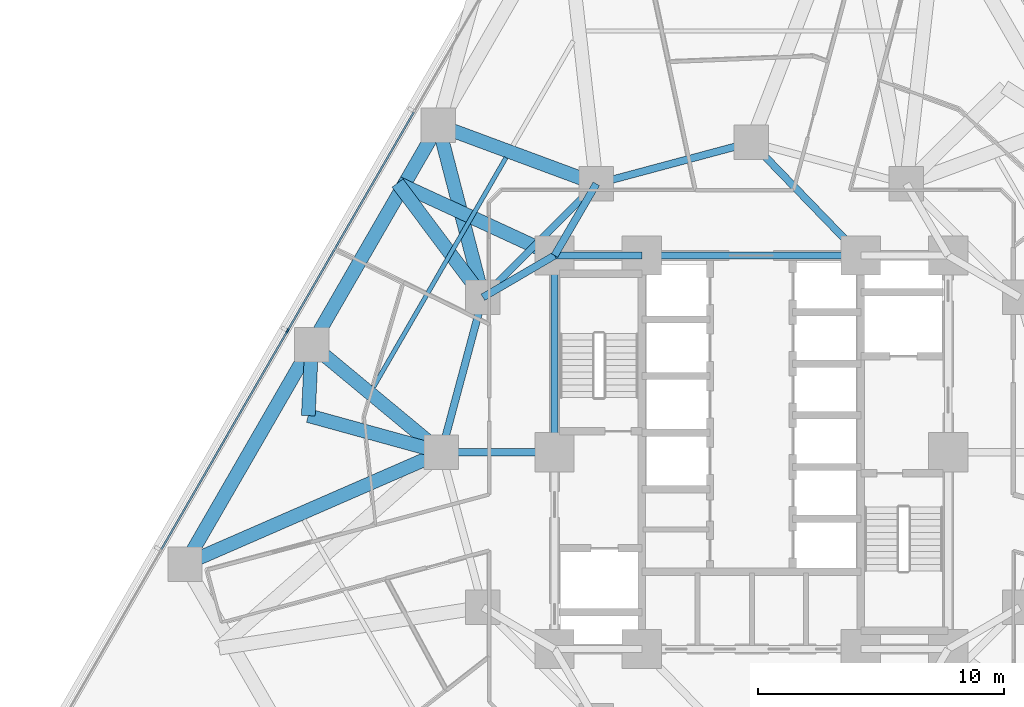
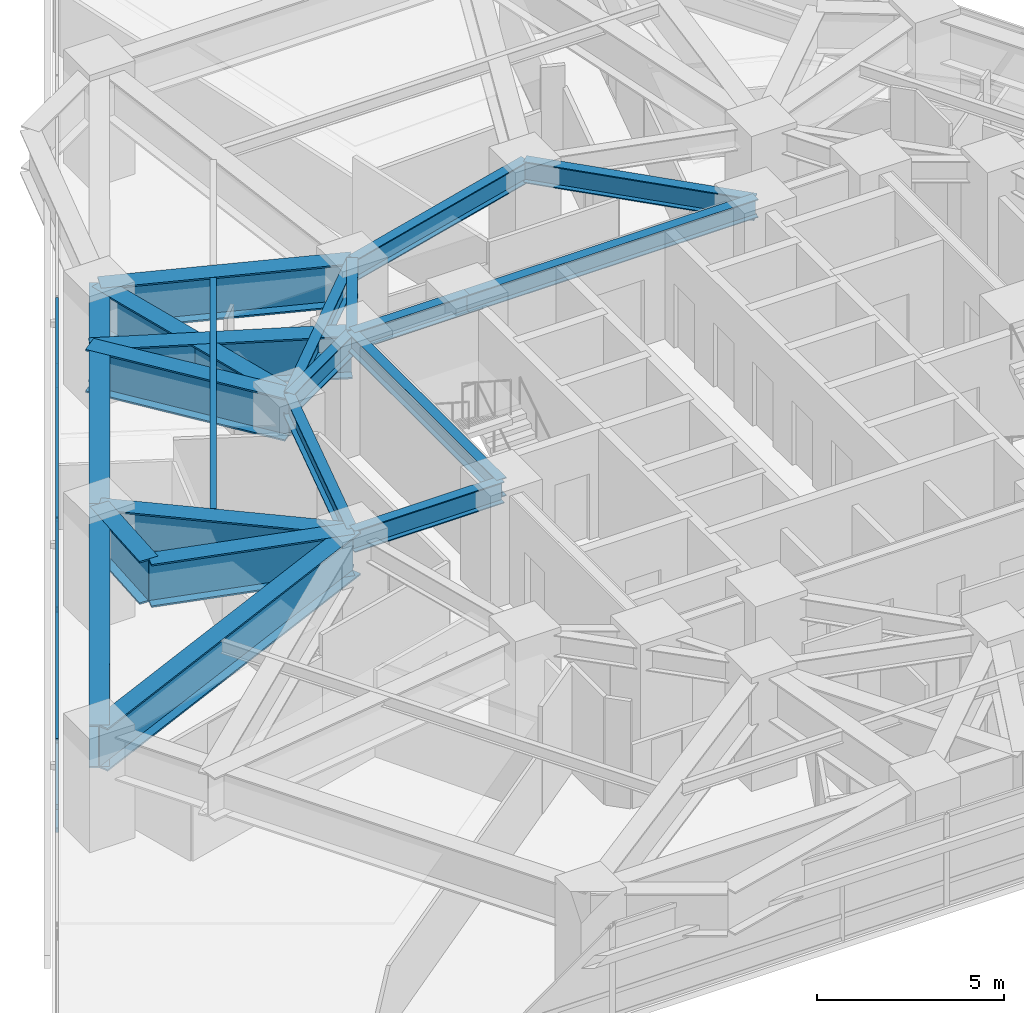
# One storey, part 3 of 15: 21 beams, 7 members, 1 element without a shape of its own.
"""IFC4 building model written with IfcOpenShell, lengths in metres."""

from ifc_helpers import new_model, si_unit, direction, frame, origin, origin_2d, place, context, subcontext, project, spatial, rectangle, i_section, extrude, material, layer, layer_set, material_profile, profile_set, type_object, element, aggregate, save


model = new_model("IFC4")

# Units and contexts
model_context = context("Model", 3, precision=1e-05, world=origin(), true_north=direction((0.0, 1.0)))
body_context = subcontext(model_context, "Body", "Model", "MODEL_VIEW")
ifc_project = project(units=[si_unit("LENGTHUNIT", "METRE"), si_unit("AREAUNIT", "SQUARE_METRE"), si_unit("VOLUMEUNIT", "CUBIC_METRE"), si_unit("PLANEANGLEUNIT", "RADIAN"), si_unit("MASSUNIT", "GRAM", prefix="KILO")], contexts=[model_context])

# Site, building, storey
site_placement = place(None, origin())
site = spatial("IfcSite", under=ifc_project, at=site_placement, CompositionType="ELEMENT")
building_placement = place(site_placement, origin())
building = spatial("IfcBuilding", under=site, at=building_placement, Name="Terralouvre Media Tower", CompositionType="ELEMENT")
storey_placement = place(building_placement, frame((0.0, 0.0, 51.89990234375)))
storey = spatial("IfcBuildingStorey", under=building, at=storey_placement, Name="L12", CompositionType="ELEMENT", Elevation=51.89990234375)

# Beam
ifc_material_1 = material(Name="Structural steel S355J2", Category="steel")
ifc_material_profile_1 = material_profile(ifc_material_1, i_section(OverallWidth=0.179931640625, OverallDepth=0.39990234375, WebThickness=0.008544921875, FlangeThickness=0.013427734375, at=origin_2d()), Name="IPE 400")
ifc_profile_set_1 = profile_set([ifc_material_profile_1], Name="Structural steel S355J2")
beam_type_1 = type_object("IfcBeamType", Name="Composite Floor Joist J-IPE400 (IPE 400)", PredefinedType="JOIST", material=ifc_profile_set_1)
beam_1_placement = place(storey_placement, frame((-9.974609375, 11.9775390625, 3.300048828125), z_axis=(-0.500003030497, -0.866023654119, 0.0), x_axis=(0.866023654119, -0.500003030497, 0.0)))
element("IfcBeam", 1, at=beam_1_placement, inside=storey, type_object=beam_type_1, Name="L12 Framing Beam JT-L12-11", PredefinedType="JOIST", context=body_context, shape_type="SweptSolid", body=[
    extrude(i_section(OverallWidth=0.179931640625, OverallDepth=0.39990234375, WebThickness=0.008544921875, FlangeThickness=0.013427734375, at=origin_2d()), origin(), (0.0, 0.0, 1.0), 10.77099609375),
])

# Curtain wall, members
ifc_material_2 = material(Name="Low-iron laminated double glazing with solar-control coating", Category="glass")
ifc_layer = layer(ifc_material_2, 0.1650390625, Name="Lower Media Tower Unitised Curtain Wall CW-02")
ifc_layer_set = layer_set([ifc_layer], Name="Low-iron laminated double glazing with solar-control coating")
curtain_wall_type = type_object("IfcCurtainWallType", Name="Lower Media Tower Unitised Curtain Wall CW-02", PredefinedType="NOTDEFINED", material=ifc_layer_set)
curtain_wall_placement = place(storey_placement, origin())
curtain_wall = element("IfcCurtainWall", 2, at=curtain_wall_placement, inside=storey, type_object=curtain_wall_type, Name="L12 Facade Curtain Wall F2", PredefinedType="NOTDEFINED")
ifc_material_3 = material(Name="Anodised extruded aluminium 6063-T6", Category="aluminium")
ifc_material_profile_2 = material_profile(ifc_material_3, rectangle(XDim=0.074951171875, YDim=0.14990234375, at=origin_2d()), Name="ALU 75x150")
ifc_profile_set_2 = profile_set([ifc_material_profile_2], Name="Anodised extruded aluminium 6063-T6")
member_type_1 = type_object("IfcMemberType", Name="Curtain-Wall Horizontal Transom TR-150", PredefinedType="USERDEFINED", material=ifc_profile_set_2)
member_1_placement = place(storey_placement, frame((-13.72216796875, 13.825927734375, 0.03759765625), z_axis=(-0.50000905659, -0.866020174897, 0.0), x_axis=(0.866020174897, -0.50000905659, 0.0)))
member_1 = element("IfcMember", 3, at=member_1_placement, type_object=member_type_1, Name="CW-02 transom 3.1", ObjectType="TRANSOM", PredefinedType="USERDEFINED", context=body_context, shape_type="SweptSolid", body=[
    extrude(rectangle(XDim=0.074951171875, YDim=0.14990234375, at=origin_2d()), origin(), (0.0, 0.0, 1.0), 10.224853515625),
])
member_2_placement = place(storey_placement, frame((-13.72216796875, 13.825927734375, 0.800048828125), z_axis=(-0.50000905659, -0.866020174897, 0.0), x_axis=(0.866020174897, -0.50000905659, 0.0)))
member_2 = element("IfcMember", 4, at=member_2_placement, type_object=member_type_1, Name="CW-02 transom 3.2", ObjectType="TRANSOM", PredefinedType="USERDEFINED", context=body_context, shape_type="SweptSolid", body=[
    extrude(rectangle(XDim=0.074951171875, YDim=0.14990234375, at=origin_2d()), origin(), (0.0, 0.0, 1.0), 10.224853515625),
])
member_3_placement = place(storey_placement, frame((-13.72216796875, 13.825927734375, 2.962646484375), z_axis=(-0.50000905659, -0.866020174897, 0.0), x_axis=(0.866020174897, -0.50000905659, 0.0)))
member_3 = element("IfcMember", 5, at=member_3_placement, type_object=member_type_1, Name="CW-02 transom 3.3", ObjectType="TRANSOM", PredefinedType="USERDEFINED", context=body_context, shape_type="SweptSolid", body=[
    extrude(rectangle(XDim=0.074951171875, YDim=0.14990234375, at=origin_2d()), origin(), (0.0, 0.0, 1.0), 10.224853515625),
])
member_4_placement = place(storey_placement, frame((-18.872314453125, 4.90576171875, 0.03759765625), z_axis=(-0.499991148707, -0.866030514021, 0.0), x_axis=(0.866030514021, -0.499991148707, 0.0)))
member_4 = element("IfcMember", 6, at=member_4_placement, type_object=member_type_1, Name="CW-02 transom 4.1", ObjectType="TRANSOM", PredefinedType="USERDEFINED", context=body_context, shape_type="SweptSolid", body=[
    extrude(rectangle(XDim=0.074951171875, YDim=0.14990234375, at=origin_2d()), origin(), (0.0, 0.0, 1.0), 10.224853515625),
])
member_5_placement = place(storey_placement, frame((-18.872314453125, 4.90576171875, 0.800048828125), z_axis=(-0.499991148707, -0.866030514021, 0.0), x_axis=(0.866030514021, -0.499991148707, 0.0)))
member_5 = element("IfcMember", 7, at=member_5_placement, type_object=member_type_1, Name="CW-02 transom 4.2", ObjectType="TRANSOM", PredefinedType="USERDEFINED", context=body_context, shape_type="SweptSolid", body=[
    extrude(rectangle(XDim=0.074951171875, YDim=0.14990234375, at=origin_2d()), origin(), (0.0, 0.0, 1.0), 10.224853515625),
])
member_6_placement = place(storey_placement, frame((-18.872314453125, 4.90576171875, 2.962646484375), z_axis=(-0.499991148707, -0.866030514021, 0.0), x_axis=(0.866030514021, -0.499991148707, 0.0)))
member_6 = element("IfcMember", 8, at=member_6_placement, type_object=member_type_1, Name="CW-02 transom 4.3", ObjectType="TRANSOM", PredefinedType="USERDEFINED", context=body_context, shape_type="SweptSolid", body=[
    extrude(rectangle(XDim=0.074951171875, YDim=0.14990234375, at=origin_2d()), origin(), (0.0, 0.0, 1.0), 10.224853515625),
])
ifc_material_4 = material(Name="Anodised extruded aluminium 6063-T6", Category="aluminium")
ifc_material_profile_3 = material_profile(ifc_material_4, rectangle(XDim=0.074951171875, YDim=0.179931640625, at=origin_2d()), Name="ALU 75x180")
ifc_profile_set_3 = profile_set([ifc_material_profile_3], Name="Anodised extruded aluminium 6063-T6")
member_type_2 = type_object("IfcMemberType", Name="Curtain-Wall Vertical Mullion ML-180", PredefinedType="MULLION", material=ifc_profile_set_3)
member_7_placement = place(storey_placement, frame((-18.853515625, 4.938232421875, 0.0), z_axis=(0.0, 0.0, 1.0), x_axis=(0.866025412057, -0.499999985671, 0.0)))
member_7 = element("IfcMember", 9, at=member_7_placement, type_object=member_type_2, Name="CW-02 mullion 4", PredefinedType="MULLION", context=body_context, shape_type="SweptSolid", body=[
    extrude(rectangle(XDim=0.074951171875, YDim=0.179931640625, at=origin_2d()), origin(), (0.0, 0.0, 1.0), 3.0),
])
aggregate(curtain_wall, [member_7, member_1, member_2, member_3, member_4, member_5, member_6])

# Beams
ifc_material_5 = material(Name="Structural steel S460M", Category="steel")
ifc_material_profile_4 = material_profile(ifc_material_5, i_section(OverallWidth=0.300048828125, OverallDepth=0.60009765625, WebThickness=0.015380859375, FlangeThickness=0.030029296875, at=origin_2d()), Name="HEB 600")
ifc_profile_set_4 = profile_set([ifc_material_profile_4], Name="Structural steel S460M")
beam_type_2 = type_object("IfcBeamType", Name="Primary Floor Girder B-HEB600 (HEB 600)", PredefinedType="BEAM", material=ifc_profile_set_4)
beam_2_placement = place(storey_placement, frame((4.449951171875, 8.0, 3.2001953125), z_axis=(-1.0, 0.0, 0.0), x_axis=(0.0, -1.0, 0.0)))
element("IfcBeam", 10, at=beam_2_placement, inside=storey, type_object=beam_type_2, Name="L12 Framing Beam BM-L12-CPR07", PredefinedType="BEAM", context=body_context, shape_type="SweptSolid", body=[
    extrude(i_section(OverallWidth=0.300048828125, OverallDepth=0.60009765625, WebThickness=0.015380859375, FlangeThickness=0.030029296875, at=origin_2d()), origin(), (0.0, 0.0, 1.0), 8.89990234375),
])
beam_3_placement = place(storey_placement, frame((-4.449951171875, 8.0, 3.2001953125), z_axis=(-1.0, 0.0, 0.0), x_axis=(0.0, -1.0, 0.0)))
element("IfcBeam", 11, at=beam_3_placement, inside=storey, type_object=beam_type_2, Name="L12 Framing Beam BM-L12-CPR08", PredefinedType="BEAM", context=body_context, shape_type="SweptSolid", body=[
    extrude(i_section(OverallWidth=0.300048828125, OverallDepth=0.60009765625, WebThickness=0.015380859375, FlangeThickness=0.030029296875, at=origin_2d()), origin(), (0.0, 0.0, 1.0), 3.550048828125),
])
beam_4_placement = place(storey_placement, frame((-8.0, 8.0, 3.2001953125), z_axis=(0.0, -1.0, 0.0), x_axis=(1.0, 0.0, 0.0)))
element("IfcBeam", 12, at=beam_4_placement, inside=storey, type_object=beam_type_2, Name="L12 Framing Beam BM-L12-CPR09", PredefinedType="BEAM", context=body_context, shape_type="SweptSolid", body=[
    extrude(i_section(OverallWidth=0.300048828125, OverallDepth=0.60009765625, WebThickness=0.015380859375, FlangeThickness=0.030029296875, at=origin_2d()), origin(), (0.0, 0.0, 1.0), 8.0),
])
ifc_material_6 = material(Name="Structural steel S460M", Category="steel")
ifc_material_profile_5 = material_profile(ifc_material_6, i_section(OverallWidth=0.300048828125, OverallDepth=0.699951171875, WebThickness=0.01708984375, FlangeThickness=0.031982421875, at=origin_2d()), Name="HEB 700")
ifc_profile_set_5 = profile_set([ifc_material_profile_5], Name="Structural steel S460M")
beam_type_3 = type_object("IfcBeamType", Name="Primary Floor Girder B-HEB700 (HEB 700)", PredefinedType="BEAM", material=ifc_profile_set_5)
beam_5_placement = place(storey_placement, frame((0.0, 12.60009765625, 3.150146484375), z_axis=(-0.965920481897, -0.258838989821, 0.0), x_axis=(0.258838989821, -0.965920481897, 0.0)))
element("IfcBeam", 13, at=beam_5_placement, inside=storey, type_object=beam_type_3, Name="L12 Framing Beam BM-L12-MR09", PredefinedType="BEAM", context=body_context, shape_type="SweptSolid", body=[
    extrude(i_section(OverallWidth=0.300048828125, OverallDepth=0.699951171875, WebThickness=0.01708984375, FlangeThickness=0.031982421875, at=origin_2d()), origin(), (0.0, 0.0, 1.0), 6.522216796875),
])
beam_6_placement = place(storey_placement, frame((-6.300048828125, 10.911865234375, 3.150146484375), z_axis=(-0.707106781187, -0.707106781187, 0.0), x_axis=(0.707106781187, -0.707106781187, 0.0)))
element("IfcBeam", 14, at=beam_6_placement, inside=storey, type_object=beam_type_3, Name="L12 Framing Beam BM-L12-MR10", PredefinedType="BEAM", context=body_context, shape_type="SweptSolid", body=[
    extrude(i_section(OverallWidth=0.300048828125, OverallDepth=0.699951171875, WebThickness=0.01708984375, FlangeThickness=0.031982421875, at=origin_2d()), origin(), (0.0, 0.0, 1.0), 6.52197265625),
])
beam_7_placement = place(storey_placement, frame((-10.911865234375, 6.300048828125, 3.150146484375), z_axis=(-0.258838989821, -0.965920481897, 0.0), x_axis=(0.965920481897, -0.258838989821, 0.0)))
element("IfcBeam", 15, at=beam_7_placement, inside=storey, type_object=beam_type_3, Name="L12 Framing Beam BM-L12-MR11", PredefinedType="BEAM", context=body_context, shape_type="SweptSolid", body=[
    extrude(i_section(OverallWidth=0.300048828125, OverallDepth=0.699951171875, WebThickness=0.01708984375, FlangeThickness=0.031982421875, at=origin_2d()), origin(), (0.0, 0.0, 1.0), 6.522216796875),
])
beam_8_placement = place(storey_placement, frame((4.449951171875, 8.0, 3.150146484375), z_axis=(-0.695279715726, 0.718739255155, 0.0), x_axis=(-0.718739255155, -0.695279715726, 0.0)))
element("IfcBeam", 16, at=beam_8_placement, inside=storey, type_object=beam_type_3, Name="L12 Framing Beam BM-L12-CM09", PredefinedType="BEAM", context=body_context, shape_type="SweptSolid", body=[
    extrude(i_section(OverallWidth=0.300048828125, OverallDepth=0.699951171875, WebThickness=0.01708984375, FlangeThickness=0.031982421875, at=origin_2d()), origin(), (0.0, 0.0, 1.0), 6.400146484375),
])
for number, where, z_axis, x_axis, name in (
    (17, (-8.0, 8.0, 3.150146484375), (0.504172629717, 0.863602894532, 0.0), (-0.863602894532, 0.504172629717, 0.0), "L12 Framing Beam BM-L12-CM10"),
    (18, (-8.0, 8.0, 3.150146484375), (-0.863602894532, -0.504172629717, 0.0), (0.504172629717, -0.863602894532, 0.0), "L12 Framing Beam BM-L12-CM11"),
):
    element("IfcBeam", number, at=place(storey_placement, frame(where, z_axis=z_axis, x_axis=x_axis)), inside=storey, type_object=beam_type_3, Name=name, PredefinedType="BEAM", context=body_context, shape_type="SweptSolid", body=[
        extrude(i_section(OverallWidth=0.300048828125, OverallDepth=0.699951171875, WebThickness=0.01708984375, FlangeThickness=0.031982421875, at=origin_2d()), origin(), (0.0, 0.0, 1.0), 3.371826171875),
    ])
beam_9_placement = place(storey_placement, frame((-8.0, 0.0, 3.150146484375), z_axis=(-1.0, 0.0, 0.0), x_axis=(0.0, -1.0, 0.0)))
element("IfcBeam", 19, at=beam_9_placement, inside=storey, type_object=beam_type_3, Name="L12 Framing Beam BM-L12-CM12", PredefinedType="BEAM", context=body_context, shape_type="SweptSolid", body=[
    extrude(i_section(OverallWidth=0.300048828125, OverallDepth=0.699951171875, WebThickness=0.01708984375, FlangeThickness=0.031982421875, at=origin_2d()), origin(), (0.0, 0.0, 1.0), 4.60009765625),
])
ifc_material_7 = material(Name="Structural steel S460M", Category="steel")
ifc_material_profile_6 = material_profile(ifc_material_7, i_section(OverallWidth=0.56005859375, OverallDepth=1.39990234375, WebThickness=0.031982421875, FlangeThickness=0.050048828125, at=origin_2d()), Name="TG 1400x560")
ifc_profile_set_6 = profile_set([ifc_material_profile_6], Name="Structural steel S460M")
beam_type_4 = type_object("IfcBeamType", Name="Welded Transfer Girder TG-1400 (TG 1400x560)", PredefinedType="USERDEFINED", material=ifc_profile_set_6)
for number, where, z_axis, x_axis, name in (
    (20, (-12.724853515625, 13.29345703125, 2.800048828125), (-0.49998850195, -0.866032042085, 0.0), (0.866032042085, -0.49998850195, 0.0), "L12 Framing Beam BM-L12-PR11"),
    (21, (-17.874755859375, 4.373291015625, 2.800048828125), (-0.500016542852, -0.866015852554, 0.0), (0.866015852554, -0.500016542852, 0.0), "L12 Framing Beam BM-L12-PR12"),
):
    element("IfcBeam", number, at=place(storey_placement, frame(where, z_axis=z_axis, x_axis=x_axis)), inside=storey, type_object=beam_type_4, Name=name, ObjectType="TRANSFER GIRDER", PredefinedType="USERDEFINED", context=body_context, shape_type="SweptSolid", body=[
        extrude(i_section(OverallWidth=0.56005859375, OverallDepth=1.39990234375, WebThickness=0.031982421875, FlangeThickness=0.050048828125, at=origin_2d()), origin(), (0.0, 0.0, 1.0), 10.300048828125),
    ])
beam_10_placement = place(storey_placement, frame((-12.60009765625, 0.0, 2.800048828125), z_axis=(-0.916615903868, -0.399769039291, 0.0), x_axis=(0.399769039291, -0.916615903868, 0.0)))
element("IfcBeam", 22, at=beam_10_placement, inside=storey, type_object=beam_type_4, Name="L12 Framing Beam BM-L12-RD01", ObjectType="TRANSFER GIRDER", PredefinedType="USERDEFINED", context=body_context, shape_type="SweptSolid", body=[
    extrude(i_section(OverallWidth=0.56005859375, OverallDepth=1.39990234375, WebThickness=0.031982421875, FlangeThickness=0.050048828125, at=origin_2d()), origin(), (0.0, 0.0, 1.0), 11.373046875),
])
beam_11_placement = place(storey_placement, frame((-6.300048828125, 10.911865234375, 2.800048828125), z_axis=(-0.937652019179, 0.347575446386, 0.0), x_axis=(-0.347575446386, -0.937652019179, 0.0)))
element("IfcBeam", 23, at=beam_11_placement, inside=storey, type_object=beam_type_4, Name="L12 Framing Beam BM-L12-RD11", ObjectType="TRANSFER GIRDER", PredefinedType="USERDEFINED", context=body_context, shape_type="SweptSolid", body=[
    extrude(i_section(OverallWidth=0.56005859375, OverallDepth=1.39990234375, WebThickness=0.031982421875, FlangeThickness=0.050048828125, at=origin_2d()), origin(), (0.0, 0.0, 1.0), 6.85205078125),
])
beam_12_placement = place(storey_placement, frame((-12.60009765625, 0.0, 2.800048828125), z_axis=(-0.769816459478, 0.638265320001, 0.0), x_axis=(-0.638265320001, -0.769816459478, 0.0)))
element("IfcBeam", 24, at=beam_12_placement, inside=storey, type_object=beam_type_4, Name="L12 Framing Beam BM-L12-RD12", ObjectType="TRANSFER GIRDER", PredefinedType="USERDEFINED", context=body_context, shape_type="SweptSolid", body=[
    extrude(i_section(OverallWidth=0.56005859375, OverallDepth=1.39990234375, WebThickness=0.031982421875, FlangeThickness=0.050048828125, at=origin_2d()), origin(), (0.0, 0.0, 1.0), 6.851806640625),
])
beam_13_placement = place(storey_placement, frame((-12.724853515625, 13.29345703125, 2.800048828125), z_axis=(0.250946912805, -0.968000850699, 0.0), x_axis=(0.968000850699, 0.250946912805, 0.0)))
element("IfcBeam", 25, at=beam_13_placement, inside=storey, type_object=beam_type_4, Name="L12 Framing Beam BM-L12-TRC10", ObjectType="TRANSFER GIRDER", PredefinedType="USERDEFINED", context=body_context, shape_type="SweptSolid", body=[
    extrude(i_section(OverallWidth=0.56005859375, OverallDepth=1.39990234375, WebThickness=0.031982421875, FlangeThickness=0.050048828125, at=origin_2d()), origin(), (0.0, 0.0, 1.0), 7.224609375),
])
beam_14_placement = place(storey_placement, frame((-14.38134765625, 10.94482421875, 2.800048828125), z_axis=(0.598442434067, -0.801165808749, 0.0), x_axis=(0.801165808749, 0.598442434067, 0.0)))
element("IfcBeam", 26, at=beam_14_placement, inside=storey, type_object=beam_type_4, Name="L12 Framing Beam BM-L12-TR10S1", ObjectType="TRANSFER GIRDER", PredefinedType="USERDEFINED", context=body_context, shape_type="SweptSolid", body=[
    extrude(i_section(OverallWidth=0.56005859375, OverallDepth=1.39990234375, WebThickness=0.031982421875, FlangeThickness=0.050048828125, at=origin_2d()), origin(), (0.0, 0.0, 1.0), 5.797607421875),
])
beam_15_placement = place(storey_placement, frame((-14.38134765625, 10.94482421875, 2.800048828125), z_axis=(0.907981751088, -0.419009713123, 0.0), x_axis=(0.419009713123, 0.907981751088, 0.0)))
element("IfcBeam", 27, at=beam_15_placement, inside=storey, type_object=beam_type_4, Name="L12 Framing Beam BM-L12-TR10S2", ObjectType="TRANSFER GIRDER", PredefinedType="USERDEFINED", context=body_context, shape_type="SweptSolid", body=[
    extrude(i_section(OverallWidth=0.56005859375, OverallDepth=1.39990234375, WebThickness=0.031982421875, FlangeThickness=0.050048828125, at=origin_2d()), origin(), (0.0, 0.0, 1.0), 7.028076171875),
])
beam_16_placement = place(storey_placement, frame((-18.010986328125, 1.489501953125, 2.800048828125), z_axis=(0.047187471754, 0.998886050813, 0.0), x_axis=(-0.998886050813, 0.047187471754, 0.0)))
element("IfcBeam", 28, at=beam_16_placement, inside=storey, type_object=beam_type_4, Name="L12 Framing Beam BM-L12-TR11S1", ObjectType="TRANSFER GIRDER", PredefinedType="USERDEFINED", context=body_context, shape_type="SweptSolid", body=[
    extrude(i_section(OverallWidth=0.56005859375, OverallDepth=1.39990234375, WebThickness=0.031982421875, FlangeThickness=0.050048828125, at=origin_2d()), origin(), (0.0, 0.0, 1.0), 2.886962890625),
])
beam_17_placement = place(storey_placement, frame((-18.010986328125, 1.489501953125, 2.800048828125), z_axis=(0.964136682273, -0.265406212992, 0.0), x_axis=(0.265406212992, 0.964136682273, 0.0)))
element("IfcBeam", 29, at=beam_17_placement, inside=storey, type_object=beam_type_4, Name="L12 Framing Beam BM-L12-TR11S2", ObjectType="TRANSFER GIRDER", PredefinedType="USERDEFINED", context=body_context, shape_type="SweptSolid", body=[
    extrude(i_section(OverallWidth=0.56005859375, OverallDepth=1.39990234375, WebThickness=0.031982421875, FlangeThickness=0.050048828125, at=origin_2d()), origin(), (0.0, 0.0, 1.0), 5.612060546875),
])

save(model, "model.ifc")
